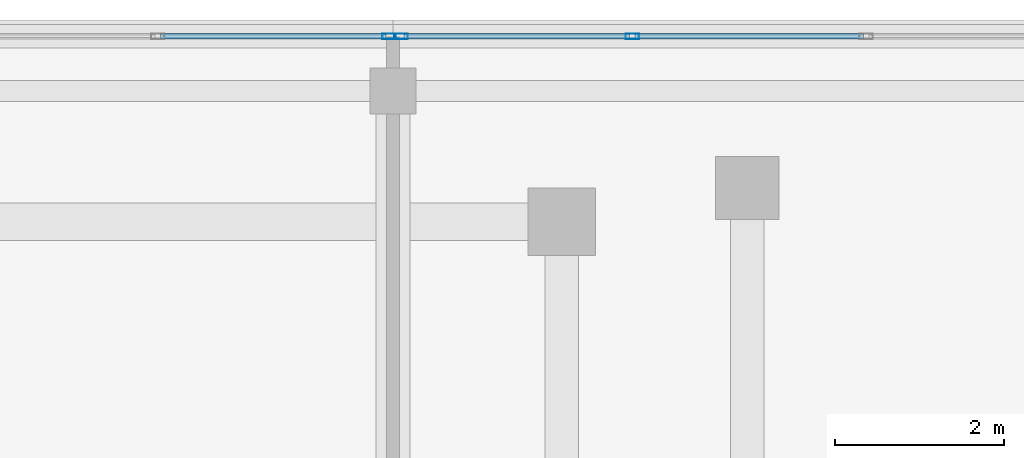
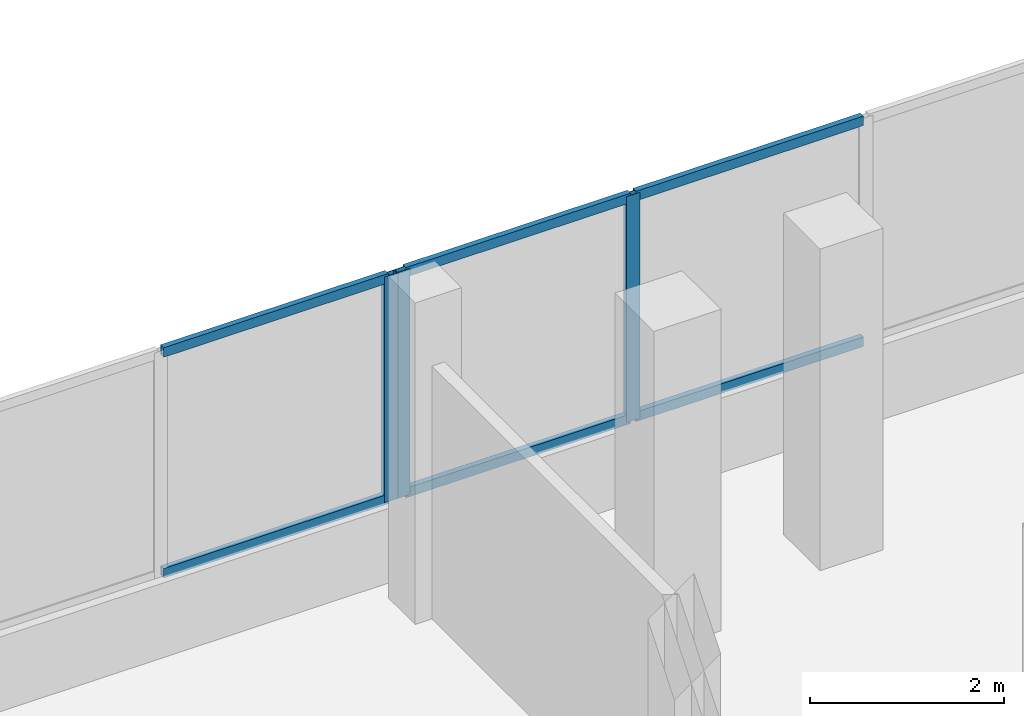
# One storey, part 22 of 66: 9 members, 2 elements without a shape of their own.
"""IFC4 building model written with IfcOpenShell, lengths in metres."""

from ifc_helpers import new_model, si_unit, direction, frame, origin, origin_2d, place, context, subcontext, project, spatial, hollow_rectangle, extrude, material, material_profile, profile_set, type_object, element, aggregate, save


model = new_model("IFC4")

# Units and contexts
model_context = context("Model", 3, precision=1e-05, world=origin(), true_north=direction((0.0, 1.0)))
body_context = subcontext(model_context, "Body", "Model", "MODEL_VIEW")
ifc_project = project(units=[si_unit("LENGTHUNIT", "METRE"), si_unit("AREAUNIT", "SQUARE_METRE"), si_unit("VOLUMEUNIT", "CUBIC_METRE"), si_unit("PLANEANGLEUNIT", "RADIAN"), si_unit("MASSUNIT", "GRAM", prefix="KILO")], contexts=[model_context])

# Site, building, storey
site_placement = place(None, origin())
site = spatial("IfcSite", under=ifc_project, at=site_placement, CompositionType="ELEMENT")
building_placement = place(site_placement, origin())
building = spatial("IfcBuilding", under=site, at=building_placement, Name="Selatvlak General Hospital", CompositionType="ELEMENT")
storey_placement = place(building_placement, frame((0.0, 0.0, 31.35009765625)))
storey = spatial("IfcBuildingStorey", under=building, at=storey_placement, Name="L07", CompositionType="ELEMENT", Elevation=31.35009765625)

# Curtain wall, member
ifc_material_1 = material(Name="Solar-control Low-E double glazing", Category="glass")
curtain_wall_type_1 = type_object("IfcCurtainWallType", Name="CW-CW-01", PredefinedType="USERDEFINED", material=ifc_material_1)
curtain_wall_1_placement = place(storey_placement, origin())
curtain_wall_1 = element("IfcCurtainWall", 1, at=curtain_wall_1_placement, inside=storey, type_object=curtain_wall_type_1, Name="Glazed facade curtain wall CW-L07-0649", ObjectType="UNITISED CURTAIN WALL", PredefinedType="USERDEFINED")
ifc_material_2 = material(Name="Dark anodised aluminium mullion", Category="aluminium")
ifc_material_profile_1 = material_profile(ifc_material_2, hollow_rectangle(XDim=0.06494140625, YDim=0.159912109375, WallThickness=0.00390625, at=origin_2d()), Name="AL-MUL 65x160x4")
ifc_profile_set_1 = profile_set([ifc_material_profile_1], Name="Dark anodised aluminium mullion")
member_type_1 = type_object("IfcMemberType", Name="CWM-01", PredefinedType="MULLION", material=ifc_profile_set_1)
member_1_placement = place(storey_placement, frame((81.552490234375, 119.9990234375, 0.93994140625), z_axis=(0.0, 0.0, 1.0), x_axis=(0.0, 1.0, 0.0)))
member_1 = element("IfcMember", 2, at=member_1_placement, type_object=member_type_1, Name="CW-01 mullion 4", PredefinedType="MULLION", context=body_context, shape_type="SweptSolid", body=[
    extrude(hollow_rectangle(XDim=0.06494140625, YDim=0.159912109375, WallThickness=0.00390625, at=origin_2d()), origin(), (0.0, 0.0, 1.0), 2.844970703125),
])

# Curtain wall, members
curtain_wall_type_2 = type_object("IfcCurtainWallType", Name="CW-CW-02", PredefinedType="USERDEFINED", material=ifc_material_1)
curtain_wall_2_placement = place(storey_placement, origin())
curtain_wall_2 = element("IfcCurtainWall", 3, at=curtain_wall_2_placement, inside=storey, type_object=curtain_wall_type_2, Name="Glazed facade curtain wall CW-L07-0650", ObjectType="UNITISED CURTAIN WALL", PredefinedType="USERDEFINED")
member_2_placement = place(storey_placement, frame((81.697509765625, 119.9990234375, 0.93994140625), z_axis=(0.0, 0.0, 1.0), x_axis=(0.0, 1.0, 0.0)))
member_2 = element("IfcMember", 4, at=member_2_placement, type_object=member_type_1, Name="CW-02 mullion 1", PredefinedType="MULLION", context=body_context, shape_type="SweptSolid", body=[
    extrude(hollow_rectangle(XDim=0.06494140625, YDim=0.159912109375, WallThickness=0.00390625, at=origin_2d()), origin(), (0.0, 0.0, 1.0), 2.844970703125),
])
member_3_placement = place(storey_placement, frame((84.438232421875, 119.9990234375, 0.93994140625), z_axis=(0.0, 0.0, 1.0), x_axis=(0.0, 1.0, 0.0)))
member_3 = element("IfcMember", 5, at=member_3_placement, type_object=member_type_1, Name="CW-02 mullion 2", PredefinedType="MULLION", context=body_context, shape_type="SweptSolid", body=[
    extrude(hollow_rectangle(XDim=0.06494140625, YDim=0.159912109375, WallThickness=0.00390625, at=origin_2d()), origin(), (0.0, 0.0, 1.0), 2.844970703125),
])

# Member
ifc_material_profile_2 = material_profile(ifc_material_2, hollow_rectangle(XDim=0.06494140625, YDim=0.1201171875, WallThickness=0.00390625, at=origin_2d()), Name="AL-TRN 65x120x4")
ifc_profile_set_2 = profile_set([ifc_material_profile_2], Name="Dark anodised aluminium mullion")
member_type_2 = type_object("IfcMemberType", Name="CWT-01", PredefinedType="USERDEFINED", material=ifc_profile_set_2)
member_4_placement = place(storey_placement, frame((78.84423828125, 119.9990234375, 0.972412109375), z_axis=(1.0, 0.0, 0.0), x_axis=(0.0, 1.0, 0.0)))
member_4 = element("IfcMember", 6, at=member_4_placement, type_object=member_type_2, Name="CW-01 transom 3.1", ObjectType="TRANSOM", PredefinedType="USERDEFINED", context=body_context, shape_type="SweptSolid", body=[
    extrude(hollow_rectangle(XDim=0.06494140625, YDim=0.1201171875, WallThickness=0.00390625, at=origin_2d()), origin(), (0.0, 0.0, 1.0), 2.67578125),
])

member_5_placement = place(storey_placement, frame((78.84423828125, 119.9990234375, 3.75244140625), z_axis=(1.0, 0.0, 0.0), x_axis=(0.0, 1.0, 0.0)))
member_5 = element("IfcMember", 7, at=member_5_placement, type_object=member_type_2, Name="CW-01 transom 3.2", ObjectType="TRANSOM", PredefinedType="USERDEFINED", context=body_context, shape_type="SweptSolid", body=[
    extrude(hollow_rectangle(XDim=0.06494140625, YDim=0.1201171875, WallThickness=0.00390625, at=origin_2d()), origin(), (0.0, 0.0, 1.0), 2.67578125),
])

aggregate(curtain_wall_1, [member_1, member_4, member_5])

member_6_placement = place(storey_placement, frame((81.72998046875, 119.9990234375, 0.972412109375), z_axis=(1.0, 0.0, 0.0), x_axis=(0.0, 1.0, 0.0)))
member_6 = element("IfcMember", 8, at=member_6_placement, type_object=member_type_2, Name="CW-02 transom 1.1", ObjectType="TRANSOM", PredefinedType="USERDEFINED", context=body_context, shape_type="SweptSolid", body=[
    extrude(hollow_rectangle(XDim=0.06494140625, YDim=0.1201171875, WallThickness=0.00390625, at=origin_2d()), origin(), (0.0, 0.0, 1.0), 2.67578125),
])

member_7_placement = place(storey_placement, frame((81.72998046875, 119.9990234375, 3.75244140625), z_axis=(1.0, 0.0, 0.0), x_axis=(0.0, 1.0, 0.0)))
member_7 = element("IfcMember", 9, at=member_7_placement, type_object=member_type_2, Name="CW-02 transom 1.2", ObjectType="TRANSOM", PredefinedType="USERDEFINED", context=body_context, shape_type="SweptSolid", body=[
    extrude(hollow_rectangle(XDim=0.06494140625, YDim=0.1201171875, WallThickness=0.00390625, at=origin_2d()), origin(), (0.0, 0.0, 1.0), 2.67578125),
])

member_8_placement = place(storey_placement, frame((84.470947265625, 119.9990234375, 0.972412109375), z_axis=(1.0, 0.0, 0.0), x_axis=(0.0, 1.0, 0.0)))
member_8 = element("IfcMember", 10, at=member_8_placement, type_object=member_type_2, Name="CW-02 transom 2.1", ObjectType="TRANSOM", PredefinedType="USERDEFINED", context=body_context, shape_type="SweptSolid", body=[
    extrude(hollow_rectangle(XDim=0.06494140625, YDim=0.1201171875, WallThickness=0.00390625, at=origin_2d()), origin(), (0.0, 0.0, 1.0), 2.708251953125),
])

member_9_placement = place(storey_placement, frame((84.470947265625, 119.9990234375, 3.75244140625), z_axis=(1.0, 0.0, 0.0), x_axis=(0.0, 1.0, 0.0)))
member_9 = element("IfcMember", 11, at=member_9_placement, type_object=member_type_2, Name="CW-02 transom 2.2", ObjectType="TRANSOM", PredefinedType="USERDEFINED", context=body_context, shape_type="SweptSolid", body=[
    extrude(hollow_rectangle(XDim=0.06494140625, YDim=0.1201171875, WallThickness=0.00390625, at=origin_2d()), origin(), (0.0, 0.0, 1.0), 2.708251953125),
])

aggregate(curtain_wall_2, [member_2, member_3, member_6, member_7, member_8, member_9])

save(model, "model.ifc")
